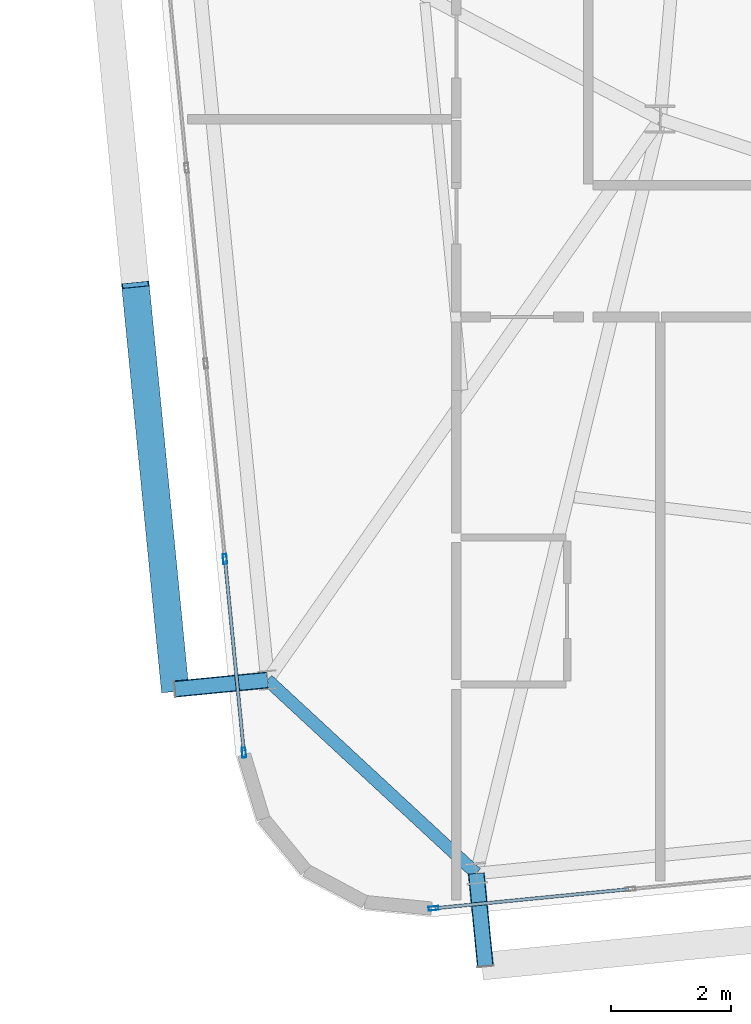
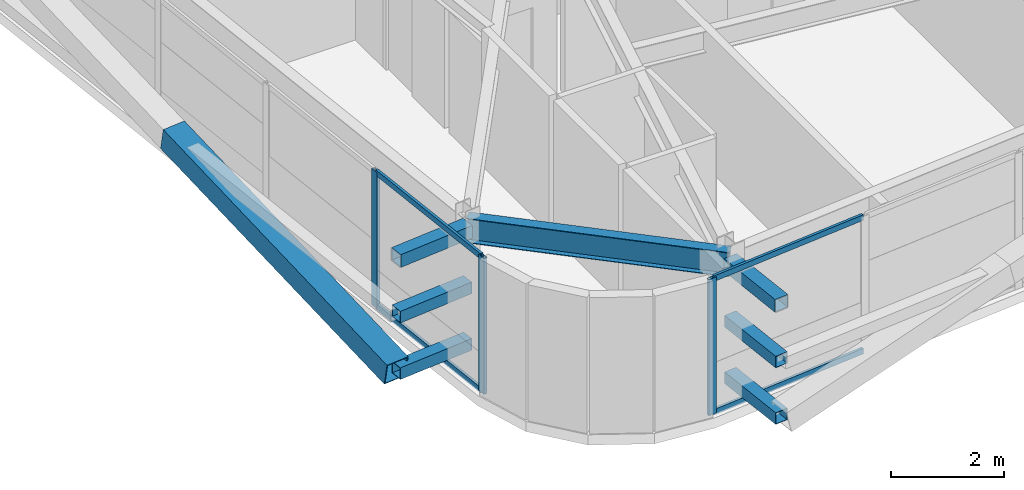
# One storey, part 5 of 54: 14 members, 1 beam, 2 elements without a shape of their own.
"""IFC4 building model written with IfcOpenShell, lengths in metres."""

import ifcopenshell
import ifcopenshell.guid

model = None  # the IFC model being written
_history = None  # IfcOwnerHistory: only IFC2X3 demands one
_inside = {}  # id of a spatial element -> (the spatial element, [elements in it])
_under = {}  # id of a project, library or spatial element -> (it, [spatial elements below it])
_declared = {}  # id of a project -> (the project, [libraries it declares])
_typed = {}  # id of a type object -> (the type object, [elements of that type])
_made_of = {}  # id of a material, layer set ... -> (it, [elements and type objects made of it])


def new_model(schema):
    """Start an empty IFC model of exactly this schema.

    Asked for "IFC4X3", IfcOpenShell would pick the latest addendum, in which some entities
    have other attributes; the version numbers below select the first issue.
    IFC2X3 requires an IfcOwnerHistory on every rooted entity: one is made here for all.
    """
    global model, _history
    if schema == "IFC4X3":
        model = ifcopenshell.file(schema_version=(4, 3, 0, 0))
    else:
        model = ifcopenshell.file(schema=schema)
    _inside.clear()
    _under.clear()
    _declared.clear()
    _typed.clear()
    _made_of.clear()
    _history = None
    if model.schema == "IFC2X3":
        org = make("IfcOrganization", Name="unknown")
        user = make(
            "IfcPersonAndOrganization",
            ThePerson=make("IfcPerson", FamilyName="unknown"),
            TheOrganization=org,
        )
        app = make(
            "IfcApplication",
            ApplicationDeveloper=org,
            Version="unknown",
            ApplicationFullName="unknown",
            ApplicationIdentifier="unknown",
        )
        _history = make(
            "IfcOwnerHistory",
            OwningUser=user,
            OwningApplication=app,
            ChangeAction="ADDED",
            CreationDate=0,
        )
    return model


def make(cls, **values):
    """One entity of the class cls with the attributes given. An attribute that is None is left unset."""
    return model.create_entity(
        cls, **{name: value for name, value in values.items() if value is not None}
    )


def rooted(cls, **values):
    """An entity with a GlobalId (a new one), such as an element, a storey or a relation."""
    return make(cls, GlobalId=ifcopenshell.guid.new(), OwnerHistory=_history, **values)


def si_unit(unit_type, name, prefix=None):
    """IfcSIUnit, for example si_unit("LENGTHUNIT", "METRE", prefix="MILLI")."""
    return make("IfcSIUnit", UnitType=unit_type, Prefix=prefix, Name=name)


def assignment(units):
    """IfcUnitAssignment: the units of a project."""
    return None if units is None else make("IfcUnitAssignment", Units=units)


def point(xyz):
    """IfcCartesianPoint."""
    return None if xyz is None else make("IfcCartesianPoint", Coordinates=xyz)


def direction(xyz):
    """IfcDirection."""
    return None if xyz is None else make("IfcDirection", DirectionRatios=xyz)


def frame(location, z_axis=None, x_axis=None):
    """IfcAxis2Placement3D, a coordinate frame: its origin and axes. An axis left out is left unset."""
    return make(
        "IfcAxis2Placement3D",
        Location=point(location),
        Axis=direction(z_axis),
        RefDirection=direction(x_axis),
    )


def frame_2d(location, x_axis=None):
    """IfcAxis2Placement2D, a coordinate frame in the plane: its origin and x axis."""
    return make(
        "IfcAxis2Placement2D", Location=point(location), RefDirection=direction(x_axis)
    )


def origin():
    """The frame at (0, 0, 0) with its axes left unset."""
    return frame((0.0, 0.0, 0.0))


def origin_2d():
    """The frame at (0, 0) in the plane with its x axis left unset."""
    return frame_2d((0.0, 0.0))


def place(relative_to, where):
    """IfcLocalPlacement: puts the frame where relative to a parent placement (None: the world)."""
    return make(
        "IfcLocalPlacement", PlacementRelTo=relative_to, RelativePlacement=where
    )


def context(
    kind, dimensions, precision=None, world=None, true_north=None, identifier=None
):
    """IfcGeometricRepresentationContext, for example the 3D "Model" context."""
    return make(
        "IfcGeometricRepresentationContext",
        ContextIdentifier=identifier,
        ContextType=kind,
        CoordinateSpaceDimension=dimensions,
        Precision=precision,
        WorldCoordinateSystem=world,
        TrueNorth=true_north,
    )


def subcontext(parent, identifier, kind, view, scale=None):
    """IfcGeometricRepresentationSubContext, for example "Body" below "Model"."""
    return make(
        "IfcGeometricRepresentationSubContext",
        ContextIdentifier=identifier,
        ContextType=kind,
        ParentContext=parent,
        TargetScale=scale,
        TargetView=view,
    )


def project(units=None, contexts=None):
    """IfcProject with its units and contexts."""
    return rooted(
        "IfcProject",
        Name="project",
        RepresentationContexts=contexts,
        UnitsInContext=assignment(units),
    )


def spatial(cls, under=None, at=None, **own):
    """A site, building, storey or space (cls), placed at a placement, below another one or the project."""
    s = rooted(cls, ObjectPlacement=at, **own)
    if under is not None:
        _under.setdefault(under.id(), (under, []))[1].append(s)
    return s


def profile(cls, at=None, kind="AREA", **sizes):
    """A parametric profile (cls). Its sizes go by their IFC names, for example OverallWidth=200.0."""
    return make(cls, ProfileType=kind, Position=at, **sizes)


def hollow_rectangle(**sizes):
    """IfcRectangleHollowProfileDef."""
    return profile("IfcRectangleHollowProfileDef", **sizes)


def i_section(**sizes):
    """IfcIShapeProfileDef."""
    return profile("IfcIShapeProfileDef", **sizes)


def extrude(swept, where, along, depth):
    """IfcExtrudedAreaSolid: the profile swept, set in the frame where, extruded along a direction by depth."""
    return make(
        "IfcExtrudedAreaSolid",
        SweptArea=swept,
        Position=where,
        ExtrudedDirection=direction(along),
        Depth=depth,
    )


def shape(context_of_items, identifier, shape_type, items):
    """IfcShapeRepresentation: the items that make up one representation, for example the "Body"."""
    return make(
        "IfcShapeRepresentation",
        ContextOfItems=context_of_items,
        RepresentationIdentifier=identifier,
        RepresentationType=shape_type,
        Items=items,
    )


def source(mapping_origin, context_of_items, identifier, shape_type, items):
    """IfcRepresentationMap: a shape defined once, which mapped items show again and again."""
    return make(
        "IfcRepresentationMap",
        MappingOrigin=mapping_origin,
        MappedRepresentation=shape(context_of_items, identifier, shape_type, items),
    )


def transform(
    local_origin,
    x_axis=None,
    y_axis=None,
    z_axis=None,
    scale=None,
    scale2=None,
    scale3=None,
    uniform=True,
):
    """IfcCartesianTransformationOperator3D, or its non-uniform kind. x_axis, y_axis, z_axis: its Axis1, 2, 3."""
    if uniform:
        return make(
            "IfcCartesianTransformationOperator3D",
            Axis1=direction(x_axis),
            Axis2=direction(y_axis),
            LocalOrigin=point(local_origin),
            Scale=scale,
            Axis3=direction(z_axis),
        )
    return make(
        "IfcCartesianTransformationOperator3DnonUniform",
        Axis1=direction(x_axis),
        Axis2=direction(y_axis),
        LocalOrigin=point(local_origin),
        Scale=scale,
        Axis3=direction(z_axis),
        Scale2=scale2,
        Scale3=scale3,
    )


def mapped(mapping_source, mapping_target):
    """IfcMappedItem: shows the shape of a source again, moved by a transform."""
    return make(
        "IfcMappedItem", MappingSource=mapping_source, MappingTarget=mapping_target
    )


def material(Name=None, Category=None):
    """IfcMaterial."""
    return make("IfcMaterial", Name=Name, Category=Category)


def layer(
    of_material, thickness, ventilated=None, Name=None, Category=None, Priority=None
):
    """IfcMaterialLayer: one layer of a wall or slab, of a material (None: an air gap)."""
    return make(
        "IfcMaterialLayer",
        Material=of_material,
        LayerThickness=thickness,
        IsVentilated=ventilated,
        Name=Name,
        Category=Category,
        Priority=Priority,
    )


def layer_set(layers, Name=None):
    """IfcMaterialLayerSet."""
    return make("IfcMaterialLayerSet", MaterialLayers=layers, LayerSetName=Name)


def material_profile(
    of_material, cross_section, Name=None, Category=None, Priority=None
):
    """IfcMaterialProfile: a cross section and its material."""
    return make(
        "IfcMaterialProfile",
        Name=Name,
        Material=of_material,
        Profile=cross_section,
        Priority=Priority,
        Category=Category,
    )


def profile_set(profiles, Name=None, composite=None):
    """IfcMaterialProfileSet."""
    return make(
        "IfcMaterialProfileSet",
        Name=Name,
        MaterialProfiles=profiles,
        CompositeProfile=composite,
    )


def made_of(thing, what):
    """Note that an element or type object is made of a material, layer set ...; save() writes the relation."""
    if what is not None:
        _made_of.setdefault(what.id(), (what, []))[1].append(thing)
    return thing


def type_object(cls, material=None, **own):
    """A type object (cls), such as IfcWallType, which elements share."""
    return made_of(rooted(cls, **own), material)


def element(
    cls,
    number,
    at=None,
    inside=None,
    cuts=None,
    type_object=None,
    material=None,
    context=None,
    identifier="Body",
    shape_type=None,
    held_by="IfcProductDefinitionShape",
    body=None,
    shapes=None,
    **own,
):
    """One element of the class cls, such as IfcWall. Its Tag is "e" and its number.

    at: its placement. inside: the storey or other place that contains it. cuts: it is an
    opening in that element (IfcRelVoidsElement). A single representation is given by context,
    identifier, shape_type and body (its items); several are given by shapes. held_by: the class
    of the entity that holds the representations. save() writes the other relations.
    """
    e = rooted(cls, Tag="e%d" % number, ObjectPlacement=at, **own)
    if body is not None:
        shapes = [shape(context, identifier, shape_type, body)]
    if shapes is not None:
        e.Representation = make(held_by, Representations=shapes)
    if inside is not None:
        _inside.setdefault(inside.id(), (inside, []))[1].append(e)
    if cuts is not None:
        rooted(
            "IfcRelVoidsElement", RelatingBuildingElement=cuts, RelatedOpeningElement=e
        )
    if type_object is not None:
        _typed.setdefault(type_object.id(), (type_object, []))[1].append(e)
    return made_of(e, material)


def aggregate(whole, parts):
    """IfcRelAggregates: a whole, such as a stair, and the parts it consists of."""
    return rooted("IfcRelAggregates", RelatingObject=whole, RelatedObjects=parts)


def save(model, path):
    """Write the relations noted so far, then the file.

    IfcRelAggregates (storeys below a building ...), IfcRelContainedInSpatialStructure (elements
    in a storey), IfcRelDefinesByType, IfcRelAssociatesMaterial and IfcRelDeclares: one each for
    every whole, place, type object, material and project.
    """
    for whole, parts in _under.values():
        aggregate(whole, parts)
    for where, things in _inside.values():
        rooted(
            "IfcRelContainedInSpatialStructure",
            RelatedElements=things,
            RelatingStructure=where,
        )
    for kind, things in _typed.values():
        rooted("IfcRelDefinesByType", RelatedObjects=things, RelatingType=kind)
    for what, things in _made_of.values():
        rooted("IfcRelAssociatesMaterial", RelatedObjects=things, RelatingMaterial=what)
    for by, libraries in _declared.values():
        rooted("IfcRelDeclares", RelatingContext=by, RelatedDefinitions=libraries)
    model.write(path)


model = new_model("IFC4")

# Units and contexts
model_context = context("Model", 3, precision=1e-05, world=origin(), true_north=direction((0.0, 1.0)))
body_context = subcontext(model_context, "Body", "Model", "MODEL_VIEW")
ifc_project = project(units=[si_unit("LENGTHUNIT", "METRE"), si_unit("AREAUNIT", "SQUARE_METRE"), si_unit("VOLUMEUNIT", "CUBIC_METRE"), si_unit("PLANEANGLEUNIT", "RADIAN"), si_unit("MASSUNIT", "GRAM", prefix="KILO")], contexts=[model_context])

# Site, building, storey
site_placement = place(None, origin())
site = spatial("IfcSite", under=ifc_project, at=site_placement, CompositionType="ELEMENT")
building_placement = place(site_placement, origin())
building = spatial("IfcBuilding", under=site, at=building_placement, Name="Taldren Reach Tower", CompositionType="ELEMENT")
storey_placement = place(building_placement, frame((0.0, 0.0, 99.75)))
storey = spatial("IfcBuildingStorey", under=building, at=storey_placement, Name="L30", CompositionType="ELEMENT", Elevation=99.75)

# Beam
ifc_material_1 = material(Name="Steel Gr 350 (350PLUS)", Category="steel")
ifc_material_profile_1 = material_profile(ifc_material_1, i_section(OverallWidth=0.208984375, OverallDepth=0.528076171875, WebThickness=0.009521484375, FlangeThickness=0.01318359375, at=origin_2d()), Name="530UB82.0")
ifc_profile_set_1 = profile_set([ifc_material_profile_1], Name="Steel Gr 350 (350PLUS)")
beam_type = type_object("IfcBeamType", Name="SP-UB530B", PredefinedType="SPANDREL", material=ifc_profile_set_1)
shared_shape_1 = source(origin(), body_context, "Body", "SweptSolid", [
    extrude(i_section(OverallWidth=0.208984375, OverallDepth=0.528076171875, WebThickness=0.009521484375, FlangeThickness=0.01318359375, at=origin_2d()), origin(), (0.0, 0.0, 1.0), 4.745849609375),
])
beam_placement = place(storey_placement, frame((11.452880859375, 3.145751953125, 2.666015625), z_axis=(0.733524121458, -0.679663419083, 0.0), x_axis=(0.679663419083, 0.733524121458, 0.0)))
element("IfcBeam", 1, at=beam_placement, inside=storey, type_object=beam_type, Name="Perimeter spandrel B2 W1-S1 L30", PredefinedType="SPANDREL", context=body_context, shape_type="MappedRepresentation", body=[
    mapped(shared_shape_1, transform((0.0, 0.0, 0.0), scale=1.0)),
])

# Members
ifc_material_2 = material(Name="Steel Gr 450 (C450L0)", Category="steel")
ifc_material_profile_2 = material_profile(ifc_material_2, hollow_rectangle(XDim=0.27490234375, YDim=0.27490234375, WallThickness=0.00927734375, at=origin_2d()), Name="275x275x9.3SHS")
ifc_profile_set_2 = profile_set([ifc_material_profile_2], Name="Steel Gr 450 (C450L0)")
member_type_1 = type_object("IfcMemberType", Name="MB-TIE273", PredefinedType="STRUT", material=ifc_profile_set_2)
shared_shape_2 = source(origin(), body_context, "Body", "SweptSolid", [
    extrude(hollow_rectangle(XDim=0.27490234375, YDim=0.27490234375, WallThickness=0.00927734375, at=origin_2d()), origin(), (0.0, 0.0, 1.0), 1.550048828125),
])
for number, where, z_axis, x_axis, name in (
    (2, (14.93408203125, -0.079833984375, 2.64990234375), (0.097647892962, -0.9952210252, 0.0), (0.9952210252, 0.097647892962, 0.0), "Exoskeleton diaphragm tie strut B2-S1 L30"),
    (3, (11.452880859375, 3.145751953125, 2.64990234375), (-0.995236318924, -0.097491894511, 0.0), (0.097491894511, -0.995236318924, 0.0), "Exoskeleton diaphragm tie strut B2-W1 L30"),
):
    element("IfcMember", number, at=place(storey_placement, frame(where, z_axis=z_axis, x_axis=x_axis)), inside=storey, type_object=member_type_1, Name=name, PredefinedType="STRUT", context=body_context, shape_type="MappedRepresentation", body=[
        mapped(shared_shape_2, transform((0.0, 0.0, 0.0), scale=1.0)),
    ])
ifc_material_3 = material(Name="Steel Gr 350 (C350L0)", Category="steel")
ifc_material_profile_3 = material_profile(ifc_material_3, hollow_rectangle(XDim=0.25, YDim=0.25, WallThickness=0.010009765625, at=origin_2d()), Name="250x250x10.0SHS")
ifc_profile_set_3 = profile_set([ifc_material_profile_3], Name="Steel Gr 350 (C350L0)")
member_type_2 = type_object("IfcMemberType", Name="MB-POST250", PredefinedType="POST", material=ifc_profile_set_3)
shared_shape_3 = source(origin(), body_context, "Body", "SweptSolid", [
    extrude(hollow_rectangle(XDim=0.25, YDim=0.25, WallThickness=0.010009765625, at=origin_2d()), origin(), (0.0, 0.0, 1.0), 1.550048828125),
])
for number, where, z_axis, x_axis, name in (
    (4, (14.93408203125, -0.079833984375, 0.219970703125), (0.097647892962, -0.9952210252, 0.0), (0.9952210252, 0.097647892962, 0.0), "Exoskeleton base diaphragm tie strut B2-S1 L30"),
    (5, (11.452880859375, 3.145751953125, 0.219970703125), (-0.995236318924, -0.097491894511, 0.0), (0.097491894511, -0.995236318924, 0.0), "Exoskeleton base diaphragm tie strut B2-W1 L30"),
    (6, (14.93408203125, -0.079833984375, 1.43505859375), (0.097647892962, -0.9952210252, 0.0), (0.9952210252, 0.097647892962, 0.0), "Exoskeleton mid-tier diaphragm tie B2-S1 L30"),
    (7, (11.452880859375, 3.145751953125, 1.43505859375), (-0.995236318924, -0.097491894511, 0.0), (0.097491894511, -0.995236318924, 0.0), "Exoskeleton mid-tier diaphragm tie B2-W1 L30"),
):
    element("IfcMember", number, at=place(storey_placement, frame(where, z_axis=z_axis, x_axis=x_axis)), inside=storey, type_object=member_type_2, Name=name, PredefinedType="POST", context=body_context, shape_type="MappedRepresentation", body=[
        mapped(shared_shape_3, transform((0.0, 0.0, 0.0), scale=1.0)),
    ])
ifc_material_profile_4 = material_profile(ifc_material_2, hollow_rectangle(XDim=0.4599609375, YDim=0.4599609375, WallThickness=0.01611328125, at=origin_2d()), Name="460x460x16.0SHS")
ifc_profile_set_4 = profile_set([ifc_material_profile_4], Name="Steel Gr 450 (C450L0)")
member_type_3 = type_object("IfcMemberType", Name="MB-EXO457", PredefinedType="BRACE", material=ifc_profile_set_4)
shared_shape_4 = source(origin(), body_context, "Body", "SweptSolid", [
    extrude(hollow_rectangle(XDim=0.4599609375, YDim=0.4599609375, WallThickness=0.01611328125, at=origin_2d()), origin(), (0.0, 0.0, 1.0), 6.883056640625),
])
member_1_placement = place(storey_placement, frame((9.91015625, 2.99462890625, 0.219970703125), z_axis=(-0.09605145821, 0.97959718347, 0.176531797456), x_axis=(-0.995227290009, -0.097584021339, 0.0)))
element("IfcMember", 8, at=member_1_placement, inside=storey, type_object=member_type_3, Name="Exoskeleton Diagrid Brace B2-W1 L30", PredefinedType="BRACE", context=body_context, shape_type="MappedRepresentation", body=[
    mapped(shared_shape_4, transform((0.0, 0.0, 0.0), scale=1.0)),
])

# Curtain wall, member
ifc_material_4 = material(Name="Aluminium and Low-E Glass Unitised System", Category="aluminium")
ifc_layer = layer(ifc_material_4, 0.159912109375)
ifc_layer_set = layer_set([ifc_layer], Name="Aluminium and Low-E Glass Unitised System")
curtain_wall_type = type_object("IfcCurtainWallType", Name="CW-SYS-3", PredefinedType="NOTDEFINED", material=ifc_layer_set)
curtain_wall_1_placement = place(storey_placement, origin())
curtain_wall_1 = element("IfcCurtainWall", 9, at=curtain_wall_1_placement, inside=storey, type_object=curtain_wall_type, Name="Unitised curtain wall CW-L30-S", PredefinedType="NOTDEFINED")
ifc_material_5 = material(Name="Anodised Aluminium 6063-T6", Category="aluminium")
ifc_material_profile_5 = material_profile(ifc_material_5, hollow_rectangle(XDim=0.06494140625, YDim=0.1650390625, WallThickness=0.00390625, at=origin_2d()), Name="ALU-165x65x4RHS")
ifc_profile_set_5 = profile_set([ifc_material_profile_5], Name="Anodised Aluminium 6063-T6")
member_type_4 = type_object("IfcMemberType", Name="CW-MUL-165", PredefinedType="MULLION", material=ifc_profile_set_5)
shared_shape_5 = source(origin(), body_context, "Body", "SweptSolid", [
    extrude(hollow_rectangle(XDim=0.06494140625, YDim=0.1650390625, WallThickness=0.00390625, at=origin_2d()), origin(), (0.0, 0.0, 1.0), 2.929931640625),
])
member_2_placement = place(storey_placement, frame((14.22021484375, -0.662353515625, 0.0), z_axis=(0.0, 0.0, 1.0), x_axis=(-0.097582999046, 0.995227390247, 0.0)))
member_2 = element("IfcMember", 10, at=member_2_placement, type_object=member_type_4, Name="CW-3 mullion 1", PredefinedType="MULLION", context=body_context, shape_type="MappedRepresentation", body=[
    mapped(shared_shape_5, transform((0.0, 0.0, 0.0), scale=1.0)),
])

# Curtain wall, members
curtain_wall_2_placement = place(storey_placement, origin())
curtain_wall_2 = element("IfcCurtainWall", 11, at=curtain_wall_2_placement, inside=storey, type_object=curtain_wall_type, Name="Unitised curtain wall CW-L30-W", PredefinedType="NOTDEFINED")
member_3_placement = place(storey_placement, frame((10.742431640625, 5.163818359375, 0.0), z_axis=(0.0, 0.0, 1.0), x_axis=(0.99522741555, 0.09758274098, 0.0)))
member_3 = element("IfcMember", 12, at=member_3_placement, type_object=member_type_4, Name="CW-3 mullion 9", PredefinedType="MULLION", context=body_context, shape_type="MappedRepresentation", body=[
    mapped(shared_shape_5, transform((0.0, 0.0, 0.0), scale=1.0)),
])
member_4_placement = place(storey_placement, frame((11.05908203125, 1.93408203125, 0.0), z_axis=(0.0, 0.0, 1.0), x_axis=(0.99522741555, 0.09758274098, 0.0)))
member_4 = element("IfcMember", 13, at=member_4_placement, type_object=member_type_4, Name="CW-3 mullion 10", PredefinedType="MULLION", context=body_context, shape_type="MappedRepresentation", body=[
    mapped(shared_shape_5, transform((0.0, 0.0, 0.0), scale=1.0)),
])

# Member
ifc_material_profile_6 = material_profile(ifc_material_5, hollow_rectangle(XDim=0.054931640625, YDim=0.1201171875, WallThickness=0.0029296875, at=origin_2d()), Name="ALU-120x55x3RHS")
ifc_profile_set_6 = profile_set([ifc_material_profile_6], Name="Anodised Aluminium 6063-T6")
member_type_5 = type_object("IfcMemberType", Name="CW-TRN-135", PredefinedType="USERDEFINED", material=ifc_profile_set_6)
shared_shape_6 = source(origin(), body_context, "Body", "SweptSolid", [
    extrude(hollow_rectangle(XDim=0.054931640625, YDim=0.1201171875, WallThickness=0.0029296875, at=origin_2d()), origin(), (0.0, 0.0, 1.0), 3.23583984375),
])
member_5_placement = place(storey_placement, frame((14.25244140625, -0.6591796875, 0.027587890625), z_axis=(0.995230248826, 0.097553840629, 0.0), x_axis=(-0.097553840629, 0.995230248826, 0.0)))
member_5 = element("IfcMember", 14, at=member_5_placement, type_object=member_type_5, Name="CW-3 transom 1.1", ObjectType="TRANSOM", PredefinedType="USERDEFINED", context=body_context, shape_type="MappedRepresentation", body=[
    mapped(shared_shape_6, transform((0.0, 0.0, 0.0), scale=1.0)),
])

member_6_placement = place(storey_placement, frame((14.25244140625, -0.6591796875, 2.902587890625), z_axis=(0.995230248826, 0.097553840629, 0.0), x_axis=(-0.097553840629, 0.995230248826, 0.0)))
member_6 = element("IfcMember", 15, at=member_6_placement, type_object=member_type_5, Name="CW-3 transom 1.2", ObjectType="TRANSOM", PredefinedType="USERDEFINED", context=body_context, shape_type="MappedRepresentation", body=[
    mapped(shared_shape_6, transform((0.0, 0.0, 0.0), scale=1.0)),
])

aggregate(curtain_wall_1, [member_2, member_5, member_6])

shared_shape_7 = source(origin(), body_context, "Body", "SweptSolid", [
    extrude(hollow_rectangle(XDim=0.054931640625, YDim=0.1201171875, WallThickness=0.0029296875, at=origin_2d()), origin(), (0.0, 0.0, 1.0), 3.180419921875),
])
member_7_placement = place(storey_placement, frame((10.74560546875, 5.131591796875, 0.027587890625), z_axis=(0.097565460739, -0.995229109738, 0.0), x_axis=(0.995229109738, 0.097565460739, 0.0)))
member_7 = element("IfcMember", 16, at=member_7_placement, type_object=member_type_5, Name="CW-3 transom 9.1", ObjectType="TRANSOM", PredefinedType="USERDEFINED", context=body_context, shape_type="MappedRepresentation", body=[
    mapped(shared_shape_7, transform((0.0, 0.0, 0.0), scale=1.0)),
])

member_8_placement = place(storey_placement, frame((10.74560546875, 5.131591796875, 2.902587890625), z_axis=(0.097565460739, -0.995229109738, 0.0), x_axis=(0.995229109738, 0.097565460739, 0.0)))
member_8 = element("IfcMember", 17, at=member_8_placement, type_object=member_type_5, Name="CW-3 transom 9.2", ObjectType="TRANSOM", PredefinedType="USERDEFINED", context=body_context, shape_type="MappedRepresentation", body=[
    mapped(shared_shape_7, transform((0.0, 0.0, 0.0), scale=1.0)),
])

aggregate(curtain_wall_2, [member_3, member_4, member_7, member_8])

save(model, "model.ifc")
